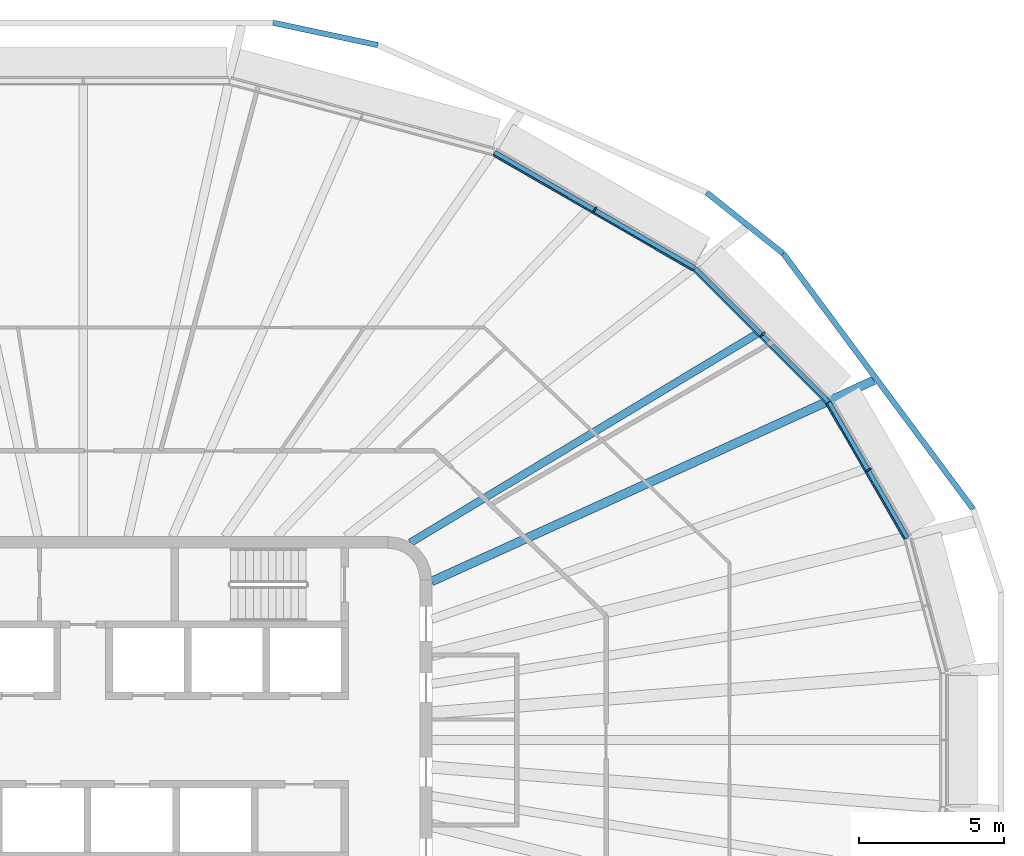
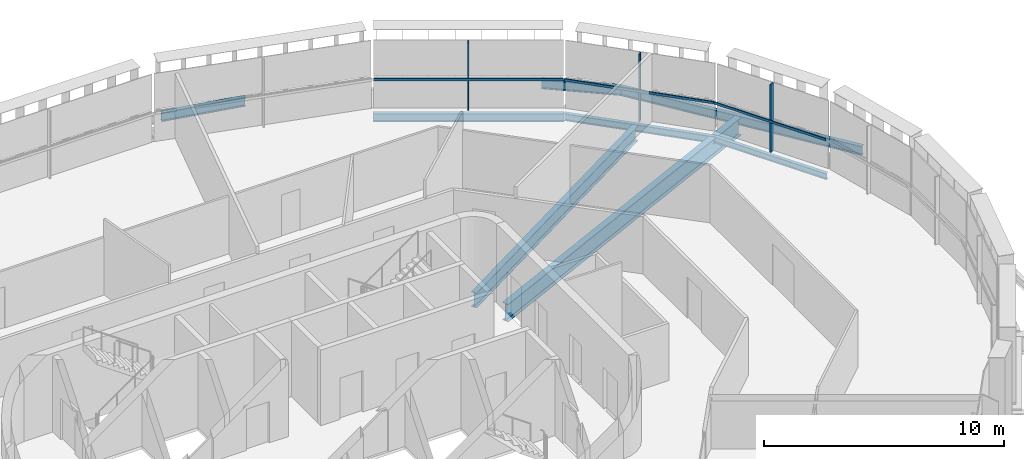
# One storey, part 8 of 20: 8 beams, 6 members, 3 elements without a shape of their own.
"""IFC4 building model written with IfcOpenShell, lengths in metres."""

from ifc_helpers import new_model, si_unit, direction, frame, origin, origin_2d, place, context, subcontext, project, spatial, rectangle, i_section, extrude, material, layer, layer_set, material_profile, profile_set, type_object, element, aggregate, save


model = new_model("IFC4")

# Units and contexts
model_context = context("Model", 3, precision=1e-05, world=origin(), true_north=direction((0.0, 1.0)))
body_context = subcontext(model_context, "Body", "Model", "MODEL_VIEW")
ifc_project = project(units=[si_unit("LENGTHUNIT", "METRE"), si_unit("AREAUNIT", "SQUARE_METRE"), si_unit("VOLUMEUNIT", "CUBIC_METRE"), si_unit("PLANEANGLEUNIT", "RADIAN"), si_unit("MASSUNIT", "GRAM", prefix="KILO")], contexts=[model_context])

# Site, building, storey
site_placement = place(None, origin())
site = spatial("IfcSite", under=ifc_project, at=site_placement, CompositionType="ELEMENT")
building_placement = place(site_placement, origin())
building = spatial("IfcBuilding", under=site, at=building_placement, Name="Sahrelin Media Tower", CompositionType="ELEMENT")
storey_placement = place(building_placement, frame((0.0, 0.0, 271.0)))
storey = spatial("IfcBuildingStorey", under=building, at=storey_placement, Name="L59", CompositionType="ELEMENT", Elevation=271.0)

# Beams
ifc_material_1 = material(Name="Steel S355", Category="steel")
ifc_material_profile_1 = material_profile(ifc_material_1, i_section(OverallWidth=0.1650390625, OverallDepth=0.303466796875, WebThickness=0.006103515625, FlangeThickness=0.01025390625, FilletRadius=0.0087890625, at=origin_2d()), Name="UB 305x165x40")
ifc_profile_set_1 = profile_set([ifc_material_profile_1], Name="Steel S355")
beam_type_1 = type_object("IfcBeamType", Name="Edge beam EB2", PredefinedType="BEAM", material=ifc_profile_set_1)
beam_1_placement = place(storey_placement, frame((25.6630859375, 11.614990234375, -0.3017578125), z_axis=(0.499986373413, -0.866033270955, 0.0), x_axis=(0.866033270955, 0.499986373413, 0.0)))
element("IfcBeam", 1, at=beam_1_placement, inside=storey, type_object=beam_type_1, Name="Edge beam L59-23", PredefinedType="BEAM", context=body_context, shape_type="SweptSolid", body=[
    extrude(i_section(OverallWidth=0.1650390625, OverallDepth=0.303466796875, WebThickness=0.006103515625, FlangeThickness=0.01025390625, FilletRadius=0.0087890625, at=origin_2d()), origin(), (0.0, 0.0, 1.0), 5.391845703125),
])
ifc_material_profile_2 = material_profile(ifc_material_1, i_section(OverallWidth=0.17138671875, OverallDepth=0.35498046875, WebThickness=0.00732421875, FlangeThickness=0.011474609375, FilletRadius=0.01025390625, at=origin_2d()), Name="UB 356x171x51")
ifc_profile_set_2 = profile_set([ifc_material_profile_2], Name="Steel S355")
beam_type_2 = type_object("IfcBeamType", Name="Edge beam EB3", PredefinedType="BEAM", material=ifc_profile_set_2)
beam_2_placement = place(storey_placement, frame((21.064697265625, 16.218505859375, -0.327392578125), z_axis=(0.707106781187, -0.707106781187, 0.0), x_axis=(0.707106781187, 0.707106781187, 0.0)))
element("IfcBeam", 2, at=beam_2_placement, inside=storey, type_object=beam_type_2, Name="Edge beam L59-22", PredefinedType="BEAM", context=body_context, shape_type="SweptSolid", body=[
    extrude(i_section(OverallWidth=0.17138671875, OverallDepth=0.35498046875, WebThickness=0.00732421875, FlangeThickness=0.011474609375, FilletRadius=0.01025390625, at=origin_2d()), origin(), (0.0, 0.0, 1.0), 6.478271484375),
])
ifc_material_profile_3 = material_profile(ifc_material_1, i_section(OverallWidth=0.177978515625, OverallDepth=0.406494140625, WebThickness=0.0078125, FlangeThickness=0.0126953125, FilletRadius=0.01025390625, at=origin_2d()), Name="UB 406x178x60")
ifc_profile_set_3 = profile_set([ifc_material_profile_3], Name="Steel S355")
beam_type_3 = type_object("IfcBeamType", Name="Edge beam EB4", PredefinedType="BEAM", material=ifc_profile_set_3)
beam_3_placement = place(storey_placement, frame((14.15234375, 20.2138671875, -0.353271484375), z_axis=(0.866015400443, -0.500017325895, 0.0), x_axis=(0.500017325895, 0.866015400443, 0.0)))
element("IfcBeam", 3, at=beam_3_placement, inside=storey, type_object=beam_type_3, Name="Edge beam L59-21", PredefinedType="BEAM", context=body_context, shape_type="SweptSolid", body=[
    extrude(i_section(OverallWidth=0.177978515625, OverallDepth=0.406494140625, WebThickness=0.0078125, FlangeThickness=0.0126953125, FilletRadius=0.01025390625, at=origin_2d()), origin(), (0.0, 0.0, 1.0), 7.955322265625),
])

# Curtain wall, member
ifc_material_2 = material(Name="Champagne anodised aluminium 6063-T6", Category="aluminium")
ifc_layer = layer(ifc_material_2, 0.14990234375)
ifc_layer_set = layer_set([ifc_layer], Name="Tower ribbon curtain wall")
curtain_wall_type = type_object("IfcCurtainWallType", Name="Tower ribbon curtain wall", PredefinedType="NOTDEFINED", material=ifc_layer_set)
curtain_wall_1_placement = place(storey_placement, frame((27.140869140625, 9.355224609375, 0.0), z_axis=(0.0, 0.0, 1.0), x_axis=(1.0, 0.0, 0.0)))
curtain_wall_1 = element("IfcCurtainWall", 4, at=curtain_wall_1_placement, inside=storey, type_object=curtain_wall_type, Name="L59:CW:L59-02", PredefinedType="NOTDEFINED")
ifc_material_profile_4 = material_profile(ifc_material_2, rectangle(XDim=0.06005859375, YDim=0.199951171875, at=origin_2d()), Name="Mullion 60x200")
ifc_profile_set_4 = profile_set([ifc_material_profile_4], Name="Champagne anodised aluminium 6063-T6")
member_type_1 = type_object("IfcMemberType", Name="Mullion 60x200 CW1C", PredefinedType="MULLION", material=ifc_profile_set_4)
member_1_placement = place(storey_placement, frame((27.037109375, 9.295166015625, 0.0), z_axis=(0.0, 0.0, 1.0), x_axis=(-0.499989419466, 0.866031512372, 0.0)))
member_1 = element("IfcMember", 5, at=member_1_placement, type_object=member_type_1, Name="L59:CWM:L59-02", PredefinedType="MULLION", context=body_context, shape_type="SweptSolid", body=[
    extrude(rectangle(XDim=0.06005859375, YDim=0.199951171875, at=origin_2d()), origin(), (0.0, 0.0, 1.0), 3.448486328125),
])

curtain_wall_2_placement = place(storey_placement, frame((23.461181640625, 14.0341796875, 0.0), z_axis=(0.0, 0.0, 1.0), x_axis=(1.0, 0.0, 0.0)))
curtain_wall_2 = element("IfcCurtainWall", 6, at=curtain_wall_2_placement, inside=storey, type_object=curtain_wall_type, Name="L59:CW:L59-03", PredefinedType="NOTDEFINED")
member_2_placement = place(storey_placement, frame((23.376220703125, 13.949462890625, 0.0), z_axis=(0.0, 0.0, 1.0), x_axis=(-0.707114185953, 0.707099376343, 0.0)))
member_2 = element("IfcMember", 7, at=member_2_placement, type_object=member_type_1, Name="L59:CWM:L59-03", PredefinedType="MULLION", context=body_context, shape_type="SweptSolid", body=[
    extrude(rectangle(XDim=0.06005859375, YDim=0.199951171875, at=origin_2d()), origin(), (0.0, 0.0, 1.0), 3.448486328125),
])

curtain_wall_3_placement = place(storey_placement, frame((17.672119140625, 18.35498046875, 0.0), z_axis=(0.0, 0.0, 1.0), x_axis=(1.0, 0.0, 0.0)))
curtain_wall_3 = element("IfcCurtainWall", 8, at=curtain_wall_3_placement, inside=storey, type_object=curtain_wall_type, Name="L59:CW:L59-04", PredefinedType="NOTDEFINED")
member_3_placement = place(storey_placement, frame((17.612060546875, 18.2509765625, 0.0), z_axis=(0.0, 0.0, 1.0), x_axis=(-0.866028021766, 0.499995465495, 0.0)))
member_3 = element("IfcMember", 9, at=member_3_placement, type_object=member_type_1, Name="L59:CWM:L59-04", PredefinedType="MULLION", context=body_context, shape_type="SweptSolid", body=[
    extrude(rectangle(XDim=0.06005859375, YDim=0.199951171875, at=origin_2d()), origin(), (0.0, 0.0, 1.0), 3.448486328125),
])

# Beams
ifc_material_profile_5 = material_profile(ifc_material_1, i_section(OverallWidth=0.30322265625, OverallDepth=0.903076171875, WebThickness=0.01513671875, FlangeThickness=0.020263671875, FilletRadius=0.01904296875, at=origin_2d()), Name="UB 914x305x201")
ifc_profile_set_5 = profile_set([ifc_material_profile_5], Name="Steel S355")
beam_type_4 = type_object("IfcBeamType", Name="Radial primary beam PB11", PredefinedType="BEAM", material=ifc_profile_set_5)
beam_4_placement = place(storey_placement, frame((12.0, 5.4560546875, -0.6015625), z_axis=(0.910323966554, 0.413896455551, 0.0), x_axis=(-0.413896455551, 0.910323966554, 0.0)))
element("IfcBeam", 10, at=beam_4_placement, inside=storey, type_object=beam_type_4, Name="Radial beam L59-03", PredefinedType="BEAM", context=body_context, shape_type="SweptSolid", body=[
    extrude(i_section(OverallWidth=0.30322265625, OverallDepth=0.903076171875, WebThickness=0.01513671875, FlangeThickness=0.020263671875, FilletRadius=0.01904296875, at=origin_2d()), origin(), (0.0, 0.0, 1.0), 16.719482421875),
])
ifc_material_profile_6 = material_profile(ifc_material_1, i_section(OverallWidth=0.26513671875, OverallDepth=0.75390625, WebThickness=0.0126953125, FlangeThickness=0.017578125, FilletRadius=0.0166015625, at=origin_2d()), Name="UB 762x267x147")
ifc_profile_set_6 = profile_set([ifc_material_profile_6], Name="Steel S355")
beam_type_5 = type_object("IfcBeamType", Name="Radial secondary beam SB9", PredefinedType="BEAM", material=ifc_profile_set_6)
beam_5_placement = place(storey_placement, frame((11.26318359375, 6.788818359375, -0.527099609375), z_axis=(0.856452909248, 0.516225158473, 0.0), x_axis=(-0.516225158473, 0.856452909248, 0.0)))
element("IfcBeam", 11, at=beam_5_placement, inside=storey, type_object=beam_type_5, Name="Secondary beam L59-03", PredefinedType="BEAM", context=body_context, shape_type="SweptSolid", body=[
    extrude(i_section(OverallWidth=0.26513671875, OverallDepth=0.75390625, WebThickness=0.0126953125, FlangeThickness=0.017578125, FilletRadius=0.0166015625, at=origin_2d()), origin(), (0.0, 0.0, 1.0), 13.921875),
])
ifc_material_profile_7 = material_profile(ifc_material_1, i_section(OverallWidth=0.1904296875, OverallDepth=0.45703125, WebThickness=0.009033203125, FlangeThickness=0.014404296875, FilletRadius=0.01025390625, at=origin_2d()), Name="UB 457x191x74")
ifc_profile_set_7 = profile_set([ifc_material_profile_7], Name="Steel S355")
beam_type_6 = type_object("IfcBeamType", Name="Tie chord TC5", PredefinedType="BEAM", material=ifc_profile_set_7)
beam_6_placement = place(storey_placement, frame((30.634765625, 7.942138671875, -0.37841796875), z_axis=(-0.596549063613, 0.802576609865, 0.0), x_axis=(-0.802576609865, -0.596549063613, 0.0)))
element("IfcBeam", 12, at=beam_6_placement, inside=storey, type_object=beam_type_6, Name="Tie chord L59-02", PredefinedType="BEAM", context=body_context, shape_type="SweptSolid", body=[
    extrude(i_section(OverallWidth=0.1904296875, OverallDepth=0.45703125, WebThickness=0.009033203125, FlangeThickness=0.014404296875, FilletRadius=0.01025390625, at=origin_2d()), origin(), (0.0, 0.0, 1.0), 10.963623046875),
])
beam_7_placement = place(storey_placement, frame((24.094482421875, 16.7412109375, -0.37841796875), z_axis=(-0.782297174171, 0.622905395132, 0.0), x_axis=(-0.622905395132, -0.782297174171, 0.0)))
element("IfcBeam", 13, at=beam_7_placement, inside=storey, type_object=beam_type_6, Name="Tie chord L59-03", PredefinedType="BEAM", context=body_context, shape_type="SweptSolid", body=[
    extrude(i_section(OverallWidth=0.1904296875, OverallDepth=0.45703125, WebThickness=0.009033203125, FlangeThickness=0.014404296875, FilletRadius=0.01025390625, at=origin_2d()), origin(), (0.0, 0.0, 1.0), 3.363525390625),
])
beam_8_placement = place(storey_placement, frame((10.134765625, 23.91650390625, -0.37841796875), z_axis=(-0.977988679387, 0.208657956932, 0.0), x_axis=(-0.208657956932, -0.977988679387, 0.0)))
element("IfcBeam", 14, at=beam_8_placement, inside=storey, type_object=beam_type_6, Name="Tie chord L59-05", PredefinedType="BEAM", context=body_context, shape_type="SweptSolid", body=[
    extrude(i_section(OverallWidth=0.1904296875, OverallDepth=0.45703125, WebThickness=0.009033203125, FlangeThickness=0.014404296875, FilletRadius=0.01025390625, at=origin_2d()), origin(), (0.0, 0.0, 1.0), 3.675048828125),
])

# Member
ifc_material_profile_8 = material_profile(ifc_material_2, rectangle(XDim=0.050048828125, YDim=0.1201171875, at=origin_2d()), Name="Transom 50x120")
ifc_profile_set_8 = profile_set([ifc_material_profile_8], Name="Champagne anodised aluminium 6063-T6")
member_type_2 = type_object("IfcMemberType", Name="Transom 50x120 CW1C", PredefinedType="USERDEFINED", material=ifc_profile_set_8)
member_4_placement = place(storey_placement, frame((28.268798828125, 6.91162109375, 1.60009765625), z_axis=(-0.500008949224, 0.866020236886, 0.0), x_axis=(-0.866020236886, -0.500008949224, 0.0)))
member_4 = element("IfcMember", 15, at=member_4_placement, type_object=member_type_2, Name="L59:CWT:L59-02", ObjectType="TRANSOM", PredefinedType="USERDEFINED", context=body_context, shape_type="SweptSolid", body=[
    extrude(rectangle(XDim=0.050048828125, YDim=0.1201171875, at=origin_2d()), origin(), (0.0, 0.0, 1.0), 5.3603515625),
])

aggregate(curtain_wall_1, [member_1, member_4])

member_5_placement = place(storey_placement, frame((25.5673828125, 11.581787109375, 1.60009765625), z_axis=(-0.707125715376, 0.70708784649, 0.0), x_axis=(-0.70708784649, -0.707125715376, 0.0)))
member_5 = element("IfcMember", 16, at=member_5_placement, type_object=member_type_2, Name="L59:CWT:L59-03", ObjectType="TRANSOM", PredefinedType="USERDEFINED", context=body_context, shape_type="SweptSolid", body=[
    extrude(rectangle(XDim=0.050048828125, YDim=0.1201171875, at=origin_2d()), origin(), (0.0, 0.0, 1.0), 6.447021484375),
])

aggregate(curtain_wall_2, [member_2, member_5])

member_6_placement = place(storey_placement, frame((20.980712890625, 16.16162109375, 1.60009765625), z_axis=(-0.866027556635, 0.499996271135, 0.0), x_axis=(-0.499996271135, -0.866027556635, 0.0)))
member_6 = element("IfcMember", 17, at=member_6_placement, type_object=member_type_2, Name="L59:CWT:L59-04", ObjectType="TRANSOM", PredefinedType="USERDEFINED", context=body_context, shape_type="SweptSolid", body=[
    extrude(rectangle(XDim=0.050048828125, YDim=0.1201171875, at=origin_2d()), origin(), (0.0, 0.0, 1.0), 7.923828125),
])

aggregate(curtain_wall_3, [member_3, member_6])

save(model, "model.ifc")
